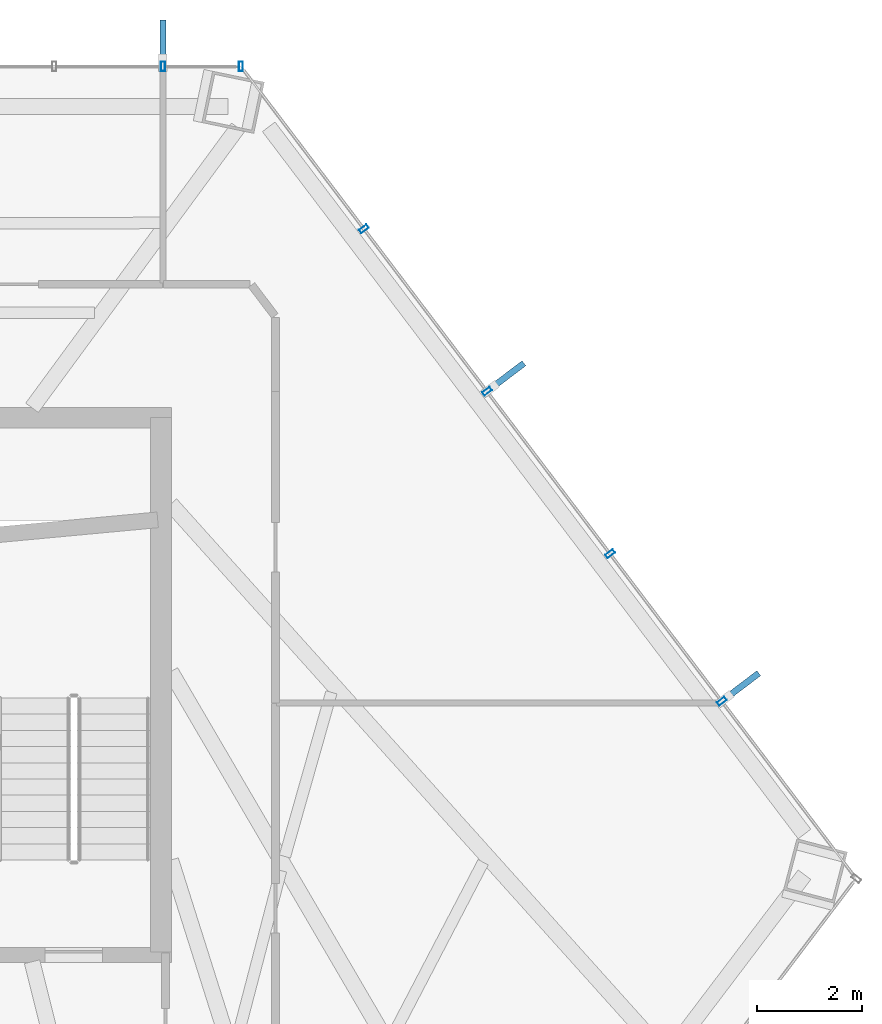
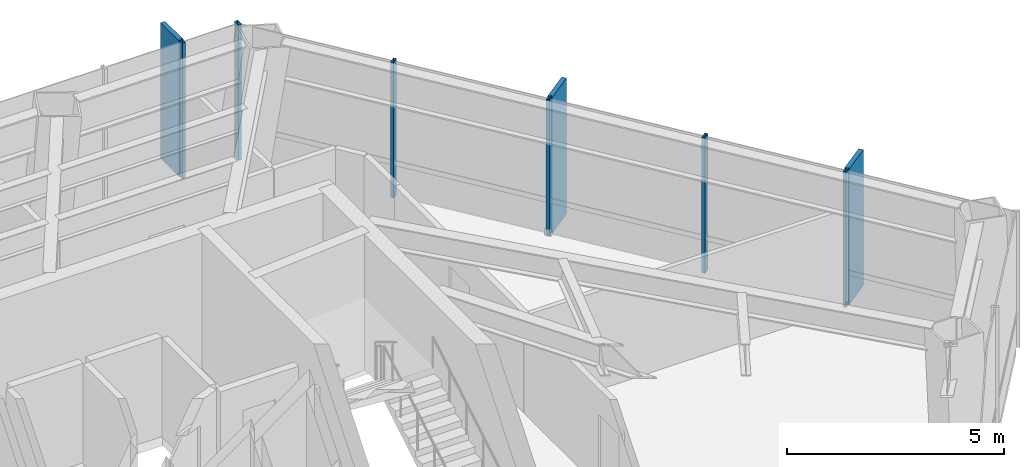
# One storey, part 21 of 26: 9 members, 2 elements without a shape of their own.
"""IFC4 building model written with IfcOpenShell, lengths in metres."""

from ifc_helpers import new_model, si_unit, direction, frame, origin, origin_2d, place, context, subcontext, project, spatial, rectangle, hollow_rectangle, extrude, material, layer, layer_set, material_profile, profile_set, type_object, element, aggregate, save


model = new_model("IFC4")

# Units and contexts
model_context = context("Model", 3, precision=1e-05, world=origin(), true_north=direction((0.0, 1.0)))
body_context = subcontext(model_context, "Body", "Model", "MODEL_VIEW")
ifc_project = project(units=[si_unit("LENGTHUNIT", "METRE"), si_unit("AREAUNIT", "SQUARE_METRE"), si_unit("VOLUMEUNIT", "CUBIC_METRE"), si_unit("PLANEANGLEUNIT", "RADIAN"), si_unit("MASSUNIT", "GRAM", prefix="KILO")], contexts=[model_context])

# Site, building, storey
site_placement = place(None, origin())
site = spatial("IfcSite", under=ifc_project, at=site_placement, CompositionType="ELEMENT")
building_placement = place(site_placement, origin())
building = spatial("IfcBuilding", under=site, at=building_placement, Name="Zarrinselat Tower", CompositionType="ELEMENT")
storey_placement = place(building_placement, frame((0.0, 0.0, 35.699951171875)))
storey = spatial("IfcBuildingStorey", under=building, at=storey_placement, Name="L08", CompositionType="ELEMENT", Elevation=35.699951171875)

# Curtain wall, members
ifc_material_1 = material(Name="Extruded Aluminium Alloy EN AW-6063 T6", Category="aluminium")
ifc_layer = layer(ifc_material_1, 0.18505859375)
ifc_layer_set = layer_set([ifc_layer], Name="Extruded Aluminium Alloy EN AW-6063 T6")
curtain_wall_type = type_object("IfcCurtainWallType", Name="CWS-OFF", PredefinedType="NOTDEFINED", material=ifc_layer_set)
curtain_wall_1_placement = place(storey_placement, origin())
curtain_wall_1 = element("IfcCurtainWall", 1, at=curtain_wall_1_placement, inside=storey, type_object=curtain_wall_type, Name="L08 Unitised Curtain Wall CW-L08-E01", PredefinedType="NOTDEFINED")
ifc_material_2 = material(Name="Extruded Aluminium Alloy EN AW-6063 T6", Category="aluminium")
ifc_material_profile_1 = material_profile(ifc_material_2, hollow_rectangle(XDim=0.080078125, YDim=0.179931640625, WallThickness=0.0048828125, at=origin_2d()), Name="RHS 180x80x5")
ifc_profile_set_1 = profile_set([ifc_material_profile_1], Name="Extruded Aluminium Alloy EN AW-6063 T6")
member_type_1 = type_object("IfcMemberType", Name="MEM-CW-MUL", PredefinedType="MULLION", material=ifc_profile_set_1)
member_1_placement = place(storey_placement, frame((49.789306640625, 50.1611328125, 0.0), z_axis=(0.0, 0.0, 1.0), x_axis=(-1.0, 0.0, 0.0)))
member_1 = element("IfcMember", 2, at=member_1_placement, type_object=member_type_1, Name="CW-L08-E01 Mullion 0", PredefinedType="MULLION", context=body_context, shape_type="SweptSolid", body=[
    extrude(hollow_rectangle(XDim=0.080078125, YDim=0.179931640625, WallThickness=0.0048828125, at=origin_2d()), origin(), (0.0, 0.0, 1.0), 3.820068359375),
])
member_2_placement = place(storey_placement, frame((48.300048828125, 50.1611328125, 0.0), z_axis=(0.0, 0.0, 1.0), x_axis=(-1.0, 0.0, 0.0)))
member_2 = element("IfcMember", 3, at=member_2_placement, type_object=member_type_1, Name="CW-L08-E01 Mullion 1", PredefinedType="MULLION", context=body_context, shape_type="SweptSolid", body=[
    extrude(hollow_rectangle(XDim=0.080078125, YDim=0.179931640625, WallThickness=0.0048828125, at=origin_2d()), origin(), (0.0, 0.0, 1.0), 3.820068359375),
])

curtain_wall_2_placement = place(storey_placement, origin())
curtain_wall_2 = element("IfcCurtainWall", 4, at=curtain_wall_2_placement, inside=storey, type_object=curtain_wall_type, Name="L08 Unitised Curtain Wall CW-L08-E06", PredefinedType="NOTDEFINED")
member_3_placement = place(storey_placement, frame((58.974853515625, 38.0361328125, 0.0), z_axis=(0.0, 0.0, 1.0), x_axis=(-0.603858578341, 0.797091473649, 0.0)))
member_3 = element("IfcMember", 5, at=member_3_placement, type_object=member_type_1, Name="CW-L08-E06 Mullion 1", PredefinedType="MULLION", context=body_context, shape_type="SweptSolid", body=[
    extrude(hollow_rectangle(XDim=0.080078125, YDim=0.179931640625, WallThickness=0.0048828125, at=origin_2d()), origin(), (0.0, 0.0, 1.0), 3.820068359375),
])
member_4_placement = place(storey_placement, frame((56.8408203125, 40.853271484375, 0.0), z_axis=(0.0, 0.0, 1.0), x_axis=(-0.603858578341, 0.797091473649, 0.0)))
member_4 = element("IfcMember", 6, at=member_4_placement, type_object=member_type_1, Name="CW-L08-E06 Mullion 2", PredefinedType="MULLION", context=body_context, shape_type="SweptSolid", body=[
    extrude(hollow_rectangle(XDim=0.080078125, YDim=0.179931640625, WallThickness=0.0048828125, at=origin_2d()), origin(), (0.0, 0.0, 1.0), 3.820068359375),
])
member_5_placement = place(storey_placement, frame((54.490234375, 43.955810546875, 0.0), z_axis=(0.0, 0.0, 1.0), x_axis=(-0.603858578341, 0.797091473649, 0.0)))
member_5 = element("IfcMember", 7, at=member_5_placement, type_object=member_type_1, Name="CW-L08-E06 Mullion 3", PredefinedType="MULLION", context=body_context, shape_type="SweptSolid", body=[
    extrude(hollow_rectangle(XDim=0.080078125, YDim=0.179931640625, WallThickness=0.0048828125, at=origin_2d()), origin(), (0.0, 0.0, 1.0), 3.820068359375),
])
member_6_placement = place(storey_placement, frame((52.139892578125, 47.05859375, 0.0), z_axis=(0.0, 0.0, 1.0), x_axis=(-0.603858578341, 0.797091473649, 0.0)))
member_6 = element("IfcMember", 8, at=member_6_placement, type_object=member_type_1, Name="CW-L08-E06 Mullion 4", PredefinedType="MULLION", context=body_context, shape_type="SweptSolid", body=[
    extrude(hollow_rectangle(XDim=0.080078125, YDim=0.179931640625, WallThickness=0.0048828125, at=origin_2d()), origin(), (0.0, 0.0, 1.0), 3.820068359375),
])

# Member
ifc_material_3 = material(Name="Honed Cream Travertine Stone", Category="masonry")
ifc_material_profile_2 = material_profile(ifc_material_3, rectangle(XDim=0.1201171875, YDim=0.85009765625, at=origin_2d()), Name="FIN 850x120")
ifc_profile_set_2 = profile_set([ifc_material_profile_2], Name="Honed Cream Travertine Stone")
member_type_2 = type_object("IfcMemberType", Name="MEM-STONE-FIN", PredefinedType="USERDEFINED", material=ifc_profile_set_2)
member_7_placement = place(storey_placement, frame((48.300048828125, 50.62109375, 0.0), z_axis=(0.0, 0.0, 1.0), x_axis=(1.0, 0.0, 0.0)))
member_7 = element("IfcMember", 9, at=member_7_placement, type_object=member_type_2, Name="L08 Stone Shading Fin CW-L08-E01-01", ObjectType="FIN", PredefinedType="USERDEFINED", context=body_context, shape_type="SweptSolid", body=[
    extrude(rectangle(XDim=0.1201171875, YDim=0.85009765625, at=origin_2d()), origin(), (0.0, 0.0, 1.0), 3.820068359375),
])

aggregate(curtain_wall_1, [member_1, member_2, member_7])

member_8_placement = place(storey_placement, frame((59.341552734375, 38.31396484375, 0.0), z_axis=(0.0, 0.0, 1.0), x_axis=(0.603858578341, -0.797091473649, 0.0)))
member_8 = element("IfcMember", 10, at=member_8_placement, type_object=member_type_2, Name="L08 Stone Shading Fin CW-L08-E06-01", ObjectType="FIN", PredefinedType="USERDEFINED", context=body_context, shape_type="SweptSolid", body=[
    extrude(rectangle(XDim=0.1201171875, YDim=0.85009765625, at=origin_2d()), origin(), (0.0, 0.0, 1.0), 3.820068359375),
])

member_9_placement = place(storey_placement, frame((54.85693359375, 44.233642578125, 0.0), z_axis=(0.0, 0.0, 1.0), x_axis=(0.603858578341, -0.797091473649, 0.0)))
member_9 = element("IfcMember", 11, at=member_9_placement, type_object=member_type_2, Name="L08 Stone Shading Fin CW-L08-E06-03", ObjectType="FIN", PredefinedType="USERDEFINED", context=body_context, shape_type="SweptSolid", body=[
    extrude(rectangle(XDim=0.1201171875, YDim=0.85009765625, at=origin_2d()), origin(), (0.0, 0.0, 1.0), 3.820068359375),
])

aggregate(curtain_wall_2, [member_3, member_8, member_4, member_5, member_9, member_6])

save(model, "model.ifc")
